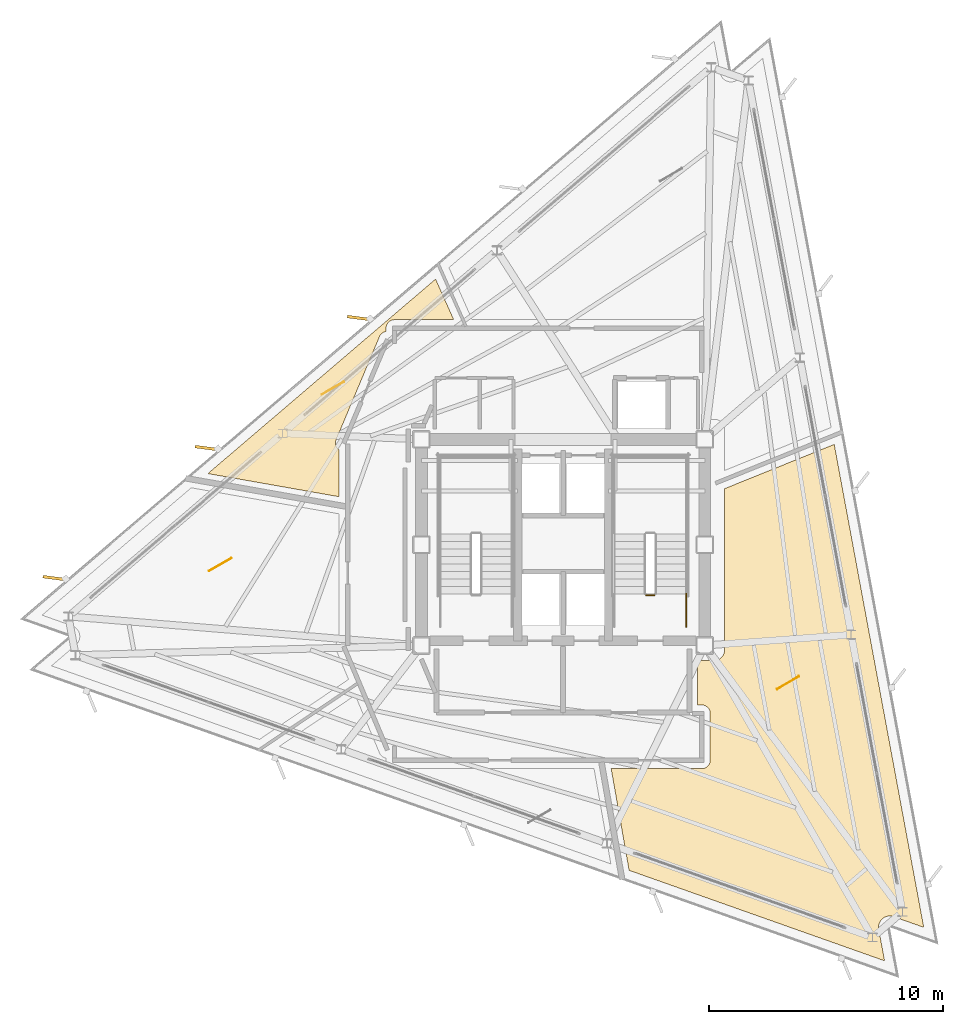
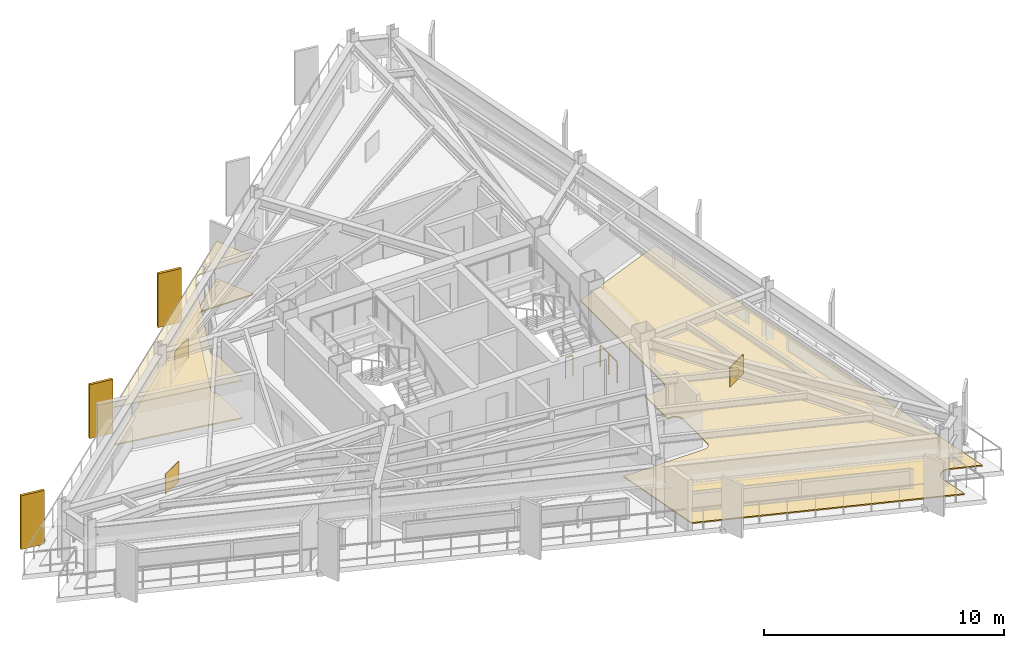
# One storey, part 12 of 14: 6 coverings, 3 shading devices, 2 railings.
"""IFC4 building model written with IfcOpenShell, lengths in metres."""

from ifc_helpers import new_model, si_unit, direction, frame, origin, origin_2d, place, context, subcontext, project, spatial, polyline, rectangle, outline, extrude, material, layer, layer_set, type_object, element, save


model = new_model("IFC4")

# Units and contexts
model_context = context("Model", 3, precision=1e-05, world=origin(), true_north=direction((0.0, 1.0)))
body_context = subcontext(model_context, "Body", "Model", "MODEL_VIEW")
ifc_project = project(units=[si_unit("LENGTHUNIT", "METRE"), si_unit("AREAUNIT", "SQUARE_METRE"), si_unit("VOLUMEUNIT", "CUBIC_METRE"), si_unit("PLANEANGLEUNIT", "RADIAN"), si_unit("MASSUNIT", "GRAM", prefix="KILO")], contexts=[model_context])

# Site, building, storey
site_placement = place(None, origin())
site = spatial("IfcSite", under=ifc_project, at=site_placement, CompositionType="ELEMENT")
building_placement = place(site_placement, origin())
building = spatial("IfcBuilding", under=site, at=building_placement, Name="Rocaltana Carrier Exchange", CompositionType="ELEMENT")
storey_placement = place(building_placement, frame((0.0, 0.0, 190.56005859375)))
storey = spatial("IfcBuildingStorey", under=building, at=storey_placement, Name="L60", CompositionType="ELEMENT", Elevation=190.56005859375)

# Coverings
ifc_material_1 = material(Name="Calcium Sulphate & Aluminium Pedestal", Category="aluminium")
ifc_layer_1 = layer(ifc_material_1, 0.06005859375)
ifc_layer_set_1 = layer_set([ifc_layer_1], Name="Calcium Sulphate & Aluminium Pedestal")
covering_type_1 = type_object("IfcCoveringType", Name="Anti-Static Raised Exchange Access Floor 60", PredefinedType="FLOORING", material=ifc_layer_set_1)
covering_1_placement = place(storey_placement, origin())
element("IfcCovering", 1, at=covering_1_placement, inside=storey, type_object=covering_type_1, Name="L60 Cloud Architecture Office Finish Floor", PredefinedType="FLOORING", context=body_context, shape_type="SweptSolid", body=[
    extrude(outline(polyline([(5.739990234375, -6.840087890625), (5.739990234375, -4.93994140625), (6.449951171875, -4.93994140625), (6.463623046875, -4.939697265625), (6.4794921875, -4.93896484375), (6.5068359375, -4.936279296875), (6.522216796875, -4.933837890625), (6.54931640625, -4.928466796875), (6.564453125, -4.9248046875), (6.5908203125, -4.916748046875), (6.605712890625, -4.91162109375), (6.630859375, -4.90087890625), (6.64501953125, -4.894287109375), (6.66943359375, -4.88134765625), (6.682861328125, -4.873291015625), (6.705810546875, -4.85791015625), (6.71826171875, -4.8486328125), (6.739501953125, -4.8310546875), (6.751220703125, -4.820556640625), (6.7705078125, -4.80126953125), (6.781005859375, -4.78955078125), (6.798583984375, -4.768310546875), (6.807861328125, -4.755615234375), (6.8232421875, -4.73291015625), (6.831298828125, -4.719482421875), (6.84423828125, -4.695068359375), (6.850830078125, -4.680908203125), (6.861572265625, -4.655517578125), (6.86669921875, -4.640869140625), (6.874755859375, -4.614501953125), (6.87841796875, -4.59912109375), (6.8837890625, -4.572265625), (6.88623046875, -4.556884765625), (6.888916015625, -4.529296875), (6.8896484375, -4.513671875), (6.889892578125, -4.5), (6.889892578125, 2.3955078125), (11.576171875, 4.288818359375), (15.398681640625, -16.3359375), (14.108642578125, -15.879150390625), (14.095458984375, -15.874755859375), (14.076416015625, -15.869140625), (14.04931640625, -15.8623046875), (14.02978515625, -15.858642578125), (14.001953125, -15.854736328125), (13.982177734375, -15.852783203125), (13.954345703125, -15.851806640625), (13.934326171875, -15.85205078125), (13.906494140625, -15.853515625), (13.88671875, -15.855712890625), (13.859130859375, -15.860107421875), (13.839599609375, -15.8642578125), (13.8125, -15.871337890625), (13.793701171875, -15.87744140625), (13.767333984375, -15.88720703125), (13.7490234375, -15.89501953125), (13.72412109375, -15.907470703125), (13.706787109375, -15.9169921875), (13.68310546875, -15.931884765625), (13.66650390625, -15.943359375), (13.64453125, -15.960205078125), (13.62939453125, -15.973388671875), (13.60888671875, -15.992431640625), (13.59521484375, -16.0068359375), (13.576904296875, -16.02783203125), (13.564697265625, -16.043701171875), (13.548583984375, -16.06640625), (13.537841796875, -16.083251953125), (13.524169921875, -16.107666015625), (13.51513671875, -16.12548828125), (13.50390625, -16.15087890625), (13.496826171875, -16.16943359375), (13.48828125, -16.196044921875), (13.48291015625, -16.21533203125), (13.47705078125, -16.24267578125), (13.4736328125, -16.26220703125), (13.470458984375, -16.2900390625), (13.468994140625, -16.309814453125), (13.46875, -16.337890625), (13.469482421875, -16.357666015625), (13.4716796875, -16.385498046875), (13.474365234375, -16.4052734375), (13.4765625, -16.419189453125), (13.725830078125, -17.7646484375), (2.81689453125, -13.901611328125), (2.05126953125, -9.56005859375), (5.919921875, -9.56005859375), (5.93359375, -9.559814453125), (5.941650390625, -9.559326171875), (5.968994140625, -9.556640625), (5.976806640625, -9.555419921875), (6.003662109375, -9.550048828125), (6.01123046875, -9.548095703125), (6.03759765625, -9.540283203125), (6.044921875, -9.53759765625), (6.0703125, -9.527099609375), (6.077392578125, -9.523681640625), (6.101806640625, -9.5107421875), (6.1083984375, -9.506591796875), (6.131103515625, -9.491455078125), (6.137451171875, -9.48681640625), (6.15869140625, -9.46923828125), (6.16455078125, -9.464111328125), (6.18408203125, -9.444580078125), (6.189208984375, -9.438720703125), (6.206787109375, -9.41748046875), (6.21142578125, -9.4111328125), (6.226806640625, -9.388427734375), (6.230712890625, -9.381591796875), (6.24365234375, -9.357421875), (6.2470703125, -9.350341796875), (6.257568359375, -9.324951171875), (6.26025390625, -9.317626953125), (6.268310546875, -9.291259765625), (6.27001953125, -9.28369140625), (6.275390625, -9.256591796875), (6.276611328125, -9.248779296875), (6.279296875, -9.2216796875), (6.27978515625, -9.213623046875), (6.280029296875, -9.199951171875), (6.280029296875, -7.199951171875), (6.27978515625, -7.186279296875), (6.279296875, -7.178466796875), (6.276611328125, -7.151123046875), (6.275390625, -7.143310546875), (6.27001953125, -7.116455078125), (6.268310546875, -7.108642578125), (6.26025390625, -7.08251953125), (6.257568359375, -7.0751953125), (6.2470703125, -7.0498046875), (6.24365234375, -7.04248046875), (6.230712890625, -7.018310546875), (6.226806640625, -7.01171875), (6.21142578125, -6.98876953125), (6.206787109375, -6.982421875), (6.189208984375, -6.961181640625), (6.18408203125, -6.955322265625), (6.16455078125, -6.93603515625), (6.15869140625, -6.9306640625), (6.137451171875, -6.913330078125), (6.131103515625, -6.90869140625), (6.1083984375, -6.893310546875), (6.101806640625, -6.889404296875), (6.077392578125, -6.876220703125), (6.0703125, -6.873046875), (6.044921875, -6.862548828125), (6.03759765625, -6.85986328125), (6.01123046875, -6.851806640625), (6.003662109375, -6.849853515625), (5.976806640625, -6.844482421875), (5.968994140625, -6.843505859375), (5.941650390625, -6.8408203125), (5.93359375, -6.84033203125), (5.919921875, -6.840087890625), (5.739990234375, -6.840087890625)])), origin(), (0.0, 0.0, 1.0), 0.06005859375),
])
covering_2_placement = place(storey_placement, origin())
element("IfcCovering", 2, at=covering_2_placement, inside=storey, type_object=covering_type_1, Name="L60 Peering Conference Room Finish Floor", PredefinedType="FLOORING", context=body_context, shape_type="SweptSolid", body=[
    extrude(outline(polyline([(-9.56005859375, 4.052001953125), (-9.56005859375, 2.05126953125), (-15.169921875, 3.040283203125), (-5.445556640625, 11.345703125), (-4.672607421875, 9.610107421875), (-7.199951171875, 9.610107421875), (-7.213623046875, 9.609619140625), (-7.2216796875, 9.609375), (-7.248779296875, 9.606689453125), (-7.256591796875, 9.60546875), (-7.28369140625, 9.60009765625), (-7.291259765625, 9.59814453125), (-7.317626953125, 9.590087890625), (-7.324951171875, 9.58740234375), (-7.350341796875, 9.576904296875), (-7.357421875, 9.57373046875), (-7.381591796875, 9.560791015625), (-7.388427734375, 9.556640625), (-7.4111328125, 9.54150390625), (-7.41748046875, 9.53662109375), (-7.438720703125, 9.519287109375), (-7.444580078125, 9.513916015625), (-7.464111328125, 9.49462890625), (-7.46923828125, 9.48876953125), (-7.48681640625, 9.467529296875), (-7.491455078125, 9.461181640625), (-7.506591796875, 9.4384765625), (-7.5107421875, 9.431640625), (-7.523681640625, 9.407470703125), (-7.527099609375, 9.400390625), (-7.53759765625, 9.375), (-7.540283203125, 9.36767578125), (-7.548095703125, 9.34130859375), (-7.550048828125, 9.33349609375), (-7.555419921875, 9.306640625), (-7.556640625, 9.298828125), (-7.559326171875, 9.271484375), (-7.559814453125, 9.263671875), (-7.56005859375, 9.25), (-7.56005859375, 9.106689453125), (-7.563720703125, 9.106201171875), (-7.5908203125, 9.100830078125), (-7.598388671875, 9.09912109375), (-7.624755859375, 9.09130859375), (-7.632080078125, 9.088623046875), (-7.65771484375, 9.078125), (-7.664794921875, 9.074951171875), (-7.68896484375, 9.06201171875), (-7.69580078125, 9.05810546875), (-7.71875, 9.04296875), (-7.72509765625, 9.038330078125), (-7.746337890625, 9.02099609375), (-7.752197265625, 9.015625), (-7.771728515625, 8.996337890625), (-7.777099609375, 8.990478515625), (-7.794677734375, 8.969482421875), (-7.79931640625, 8.963134765625), (-7.814697265625, 8.9404296875), (-7.818603515625, 8.93359375), (-7.831787109375, 8.909423828125), (-7.835205078125, 8.90234375), (-7.8408203125, 8.889892578125), (-9.69091796875, 4.489990234375), (-9.69580078125, 4.47705078125), (-9.698486328125, 4.4697265625), (-9.706787109375, 4.443603515625), (-9.70849609375, 4.435791015625), (-9.714111328125, 4.408935546875), (-9.71533203125, 4.401123046875), (-9.71826171875, 4.373779296875), (-9.718505859375, 4.365966796875), (-9.71875, 4.33837890625), (-9.718505859375, 4.330810546875), (-9.7158203125, 4.30322265625), (-9.714599609375, 4.295654296875), (-9.70947265625, 4.2685546875), (-9.70751953125, 4.260986328125), (-9.69970703125, 4.234619140625), (-9.697265625, 4.227294921875), (-9.686767578125, 4.201904296875), (-9.68359375, 4.194580078125), (-9.670654296875, 4.17041015625), (-9.666748046875, 4.16357421875), (-9.651611328125, 4.140625), (-9.64697265625, 4.134521484375), (-9.629638671875, 4.113037109375), (-9.624267578125, 4.107177734375), (-9.60498046875, 4.087646484375), (-9.59912109375, 4.082275390625), (-9.578125, 4.064697265625), (-9.57177734375, 4.06005859375), (-9.56005859375, 4.052001953125)])), origin(), (0.0, 0.0, 1.0), 0.06005859375),
])
ifc_material_2 = material(Name="Mineral Fibre & Powder-Coated Aluminium", Category="aluminium")
ifc_layer_2 = layer(ifc_material_2, 0.044921875)
ifc_layer_set_2 = layer_set([ifc_layer_2], Name="Mineral Fibre & Powder-Coated Aluminium")
covering_type_2 = type_object("IfcCoveringType", Name="Micro-Perforated Acoustic Ceiling 45", PredefinedType="CEILING", material=ifc_layer_set_2)
covering_3_placement = place(storey_placement, frame((0.0, 0.0, 1.9228515625)))
element("IfcCovering", 3, at=covering_3_placement, inside=storey, type_object=covering_type_2, Name="L60 Peering Conference Room Acoustic Ceiling", PredefinedType="CEILING", context=body_context, shape_type="SweptSolid", body=[
    extrude(outline(polyline([(-9.56005859375, 4.052001953125), (-9.56005859375, 2.05126953125), (-15.169921875, 3.040283203125), (-5.445556640625, 11.345703125), (-4.672607421875, 9.610107421875), (-7.199951171875, 9.610107421875), (-7.213623046875, 9.609619140625), (-7.2216796875, 9.609375), (-7.248779296875, 9.606689453125), (-7.256591796875, 9.60546875), (-7.28369140625, 9.60009765625), (-7.291259765625, 9.59814453125), (-7.317626953125, 9.590087890625), (-7.324951171875, 9.58740234375), (-7.350341796875, 9.576904296875), (-7.357421875, 9.57373046875), (-7.381591796875, 9.560791015625), (-7.388427734375, 9.556640625), (-7.4111328125, 9.54150390625), (-7.41748046875, 9.53662109375), (-7.438720703125, 9.519287109375), (-7.444580078125, 9.513916015625), (-7.464111328125, 9.49462890625), (-7.46923828125, 9.48876953125), (-7.48681640625, 9.467529296875), (-7.491455078125, 9.461181640625), (-7.506591796875, 9.4384765625), (-7.5107421875, 9.431640625), (-7.523681640625, 9.407470703125), (-7.527099609375, 9.400390625), (-7.53759765625, 9.375), (-7.540283203125, 9.36767578125), (-7.548095703125, 9.34130859375), (-7.550048828125, 9.33349609375), (-7.555419921875, 9.306640625), (-7.556640625, 9.298828125), (-7.559326171875, 9.271484375), (-7.559814453125, 9.263671875), (-7.56005859375, 9.25), (-7.56005859375, 9.106689453125), (-7.563720703125, 9.106201171875), (-7.5908203125, 9.100830078125), (-7.598388671875, 9.09912109375), (-7.624755859375, 9.09130859375), (-7.632080078125, 9.088623046875), (-7.65771484375, 9.078125), (-7.664794921875, 9.074951171875), (-7.68896484375, 9.06201171875), (-7.69580078125, 9.05810546875), (-7.71875, 9.04296875), (-7.72509765625, 9.038330078125), (-7.746337890625, 9.02099609375), (-7.752197265625, 9.015625), (-7.771728515625, 8.996337890625), (-7.777099609375, 8.990478515625), (-7.794677734375, 8.969482421875), (-7.79931640625, 8.963134765625), (-7.814697265625, 8.9404296875), (-7.818603515625, 8.93359375), (-7.831787109375, 8.909423828125), (-7.835205078125, 8.90234375), (-7.8408203125, 8.889892578125), (-9.69091796875, 4.489990234375), (-9.69580078125, 4.47705078125), (-9.698486328125, 4.4697265625), (-9.706787109375, 4.443603515625), (-9.70849609375, 4.435791015625), (-9.714111328125, 4.408935546875), (-9.71533203125, 4.401123046875), (-9.71826171875, 4.373779296875), (-9.718505859375, 4.365966796875), (-9.71875, 4.33837890625), (-9.718505859375, 4.330810546875), (-9.7158203125, 4.30322265625), (-9.714599609375, 4.295654296875), (-9.70947265625, 4.2685546875), (-9.70751953125, 4.260986328125), (-9.69970703125, 4.234619140625), (-9.697265625, 4.227294921875), (-9.686767578125, 4.201904296875), (-9.68359375, 4.194580078125), (-9.670654296875, 4.17041015625), (-9.666748046875, 4.16357421875), (-9.651611328125, 4.140625), (-9.64697265625, 4.134521484375), (-9.629638671875, 4.113037109375), (-9.624267578125, 4.107177734375), (-9.60498046875, 4.087646484375), (-9.59912109375, 4.082275390625), (-9.578125, 4.064697265625), (-9.57177734375, 4.06005859375), (-9.56005859375, 4.052001953125)])), origin(), (0.0, 0.0, 1.0), 0.045166015625),
])

# Railings
ifc_material_3 = material(Name="Powder-Coated Aluminium 6063-T6", Category="aluminium")
ifc_layer_3 = layer(ifc_material_3, 0.048095703125)
ifc_layer_set_3 = layer_set([ifc_layer_3], Name="Powder-Coated Aluminium 6063-T6")
railing_type = type_object("IfcRailingType", Name="Stair Well Guardrail 1100", PredefinedType="GUARDRAIL", material=ifc_layer_set_3)
railing_1_placement = place(storey_placement, frame((3.89990234375, -2.14990234375, 0.0)))
element("IfcRailing", 4, at=railing_1_placement, inside=storey, type_object=railing_type, Name="L60 ST-2 stair guard 7", PredefinedType="GUARDRAIL", context=body_context, shape_type="SweptSolid", body=[
    extrude(rectangle(XDim=0.048095703125, YDim=0.048095703125, at=origin_2d()), frame((0.0, 0.0, 1.076171875), z_axis=(-1.0, 0.0, 0.0), x_axis=(0.0, -1.0, 0.0)), (0.0, 0.0, 1.0), 0.35986328125),
    extrude(rectangle(XDim=0.0419921875, YDim=0.0419921875, at=origin_2d()), origin(), (0.0, 0.0, 1.0), 1.052001953125),
    extrude(rectangle(XDim=0.0419921875, YDim=0.0419921875, at=origin_2d()), frame((-0.35986328125, 0.0, 0.0)), (0.0, 0.0, 1.0), 1.052001953125),
])
railing_2_placement = place(storey_placement, frame((5.25, -3.5, 0.0)))
element("IfcRailing", 5, at=railing_2_placement, inside=storey, type_object=railing_type, Name="L60 ST-2 stair guard 8", PredefinedType="GUARDRAIL", context=body_context, shape_type="SweptSolid", body=[
    extrude(rectangle(XDim=0.048095703125, YDim=0.048095703125, at=origin_2d()), frame((0.0, 0.0, 1.076171875), z_axis=(0.0, 1.0, 0.0), x_axis=(-1.0, 0.0, 0.0)), (0.0, 0.0, 1.0), 1.39990234375),
    extrude(rectangle(XDim=0.0419921875, YDim=0.0419921875, at=origin_2d()), origin(), (0.0, 0.0, 1.0), 1.052001953125),
    extrude(rectangle(XDim=0.0419921875, YDim=0.0419921875, at=origin_2d()), frame((0.0, 0.699951171875, 0.0)), (0.0, 0.0, 1.0), 1.052001953125),
    extrude(rectangle(XDim=0.0419921875, YDim=0.0419921875, at=origin_2d()), frame((0.0, 1.39990234375, 0.0)), (0.0, 0.0, 1.0), 1.052001953125),
])

# Coverings
ifc_material_4 = material(Name="Honed Piedra Muneca Sandstone", Category="masonry")
ifc_layer_4 = layer(ifc_material_4, 0.034912109375)
ifc_layer_set_4 = layer_set([ifc_layer_4], Name="Honed Piedra Muneca Sandstone")
covering_type_3 = type_object("IfcCoveringType", Name="Stone Facade Cladding 35", PredefinedType="CLADDING", material=ifc_layer_set_4)
for number, where, z_axis, x_axis, name in (
    (6, (-14.637939453125, -0.84228515625, 0.0), (0.0, 0.0, 1.0), (0.866025403784, 0.5, 0.0), "L60 Stone Facade Cladding Panel 1"),
    (7, (9.601318359375, -5.889892578125, 0.0), (0.0, 0.0, 1.0), (0.866025403784, 0.5, 0.0), "L60 Stone Facade Cladding Panel 3"),
    (8, (-9.831298828125, 6.68994140625, 0.0), (0.0, 0.0, 1.0), (0.866025403784, 0.5, 0.0), "L60 Stone Facade Cladding Panel 5"),
):
    element("IfcCovering", number, at=place(storey_placement, frame(where, z_axis=z_axis, x_axis=x_axis)), inside=storey, type_object=covering_type_3, Name=name, PredefinedType="CLADDING", context=body_context, shape_type="SweptSolid", body=[
        extrude(rectangle(XDim=1.10009765625, YDim=0.034912109375, at=origin_2d()), origin(), (0.0, 0.0, 1.0), 1.050048828125),
    ])

# Shading devices
ifc_material_5 = material(Name="Honed Bogota Sandstone & Concrete C45/55", Category="masonry")
ifc_layer_5 = layer(ifc_material_5, 0.1201171875)
ifc_layer_set_5 = layer_set([ifc_layer_5], Name="Honed Bogota Sandstone & Concrete C45/55")
shading_device_type = type_object("IfcShadingDeviceType", Name="Upper Sandstone Shading Fin 1050x120", PredefinedType="USERDEFINED", material=ifc_layer_set_5)
for number, where, z_axis, x_axis, name in (
    (9, (-8.6923828125, 9.677978515625, -0.1201171875), (0.0, 0.0, 1.0), (-0.991444861374, 0.13052619222, 0.0), "L60 Sandstone Vertical Fin F2-03"),
    (10, (-15.19384765625, 4.125, -0.1201171875), (0.0, 0.0, 1.0), (-0.991444861374, 0.13052619222, 0.0), "L60 Sandstone Vertical Fin F2-04"),
    (11, (-21.6953125, -1.427734375, -0.1201171875), (0.0, 0.0, 1.0), (-0.991444861374, 0.13052619222, 0.0), "L60 Sandstone Vertical Fin F2-05"),
):
    element("IfcShadingDevice", number, at=place(storey_placement, frame(where, z_axis=z_axis, x_axis=x_axis)), inside=storey, type_object=shading_device_type, Name=name, ObjectType="FIN", PredefinedType="USERDEFINED", context=body_context, shape_type="SweptSolid", body=[
        extrude(rectangle(XDim=1.050048828125, YDim=0.1201171875, at=origin_2d()), origin(), (0.0, 0.0, 1.0), 2.738037109375),
    ])

save(model, "model.ifc")
